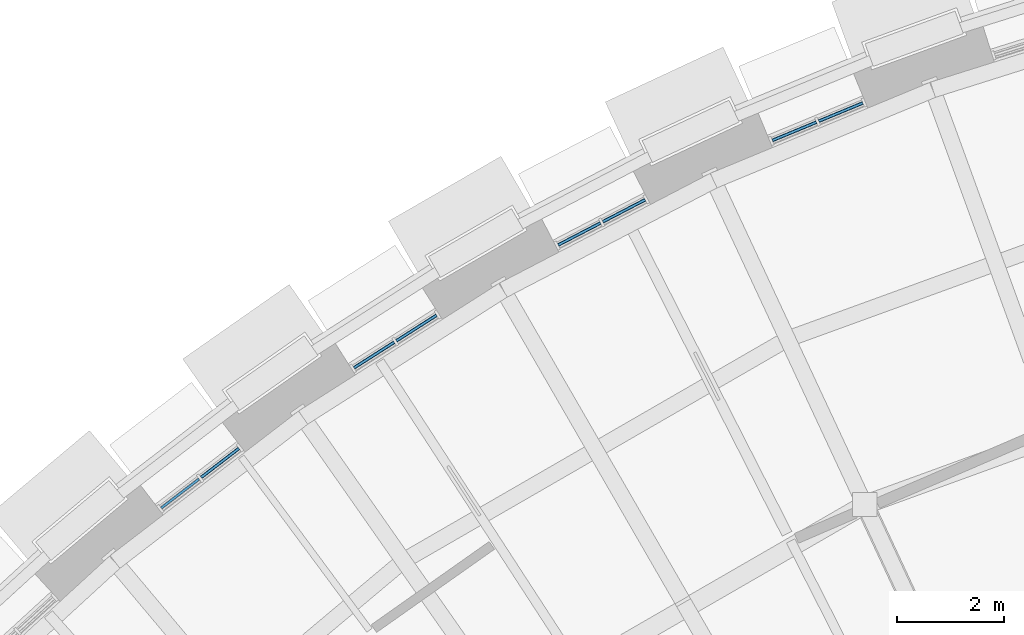
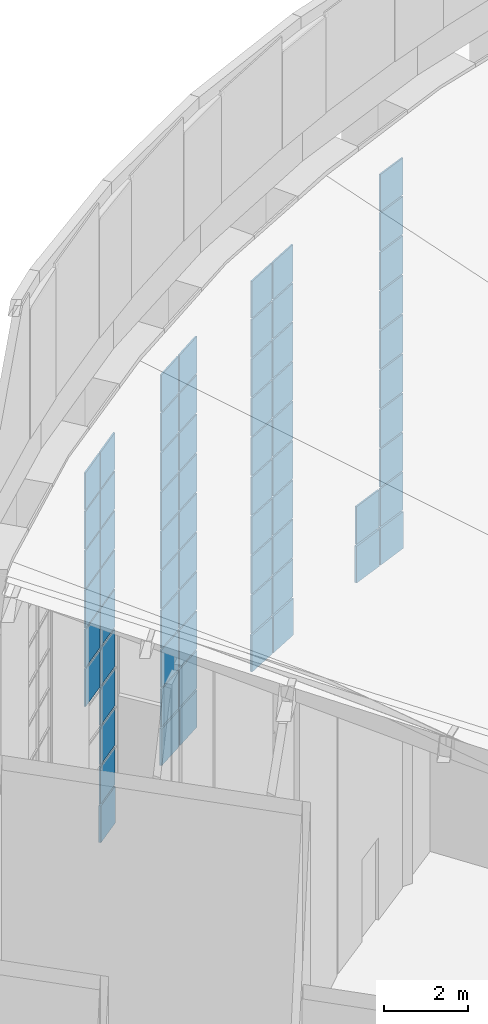
# One storey, part 48 of 82: 68 plates, 4 elements without a shape of their own.
"""IFC4 building model written with IfcOpenShell, lengths in metres."""

from ifc_helpers import new_model, si_unit, direction, frame, origin, origin_2d, place, context, subcontext, project, spatial, rectangle, extrude, material, layer, layer_set, type_object, element, aggregate, save


model = new_model("IFC4")

# Units and contexts
model_context = context("Model", 3, precision=1e-05, world=origin(), true_north=direction((0.0, 1.0)))
body_context = subcontext(model_context, "Body", "Model", "MODEL_VIEW")
ifc_project = project(units=[si_unit("LENGTHUNIT", "METRE"), si_unit("AREAUNIT", "SQUARE_METRE"), si_unit("VOLUMEUNIT", "CUBIC_METRE"), si_unit("PLANEANGLEUNIT", "RADIAN"), si_unit("MASSUNIT", "GRAM", prefix="KILO")], contexts=[model_context])

# Site, building, storey
site_placement = place(None, origin())
site = spatial("IfcSite", under=ifc_project, at=site_placement, CompositionType="ELEMENT")
building_placement = place(site_placement, origin())
building = spatial("IfcBuilding", under=site, at=building_placement, Name="Volute Hill Aquarium", CompositionType="ELEMENT")
storey_placement = place(building_placement, frame((0.0, 0.0, 13.800048828125)))
storey = spatial("IfcBuildingStorey", under=building, at=storey_placement, Name="L04", CompositionType="ELEMENT", Elevation=13.800048828125)

# Curtain wall, plates
ifc_material_1 = material(Name="Aluminium", Category="aluminium")
ifc_layer_1 = layer(ifc_material_1, 0.25)
ifc_layer_set_1 = layer_set([ifc_layer_1], Name="Curtain wall niche S6 module 967")
curtain_wall_type = type_object("IfcCurtainWallType", Name="Curtain wall niche S6 module 967", PredefinedType="NOTDEFINED", material=ifc_layer_set_1)
curtain_wall_1_placement = place(storey_placement, origin())
curtain_wall_1 = element("IfcCurtainWall", 1, at=curtain_wall_1_placement, inside=storey, type_object=curtain_wall_type, Name="Curtain wall CW S6 L04 4", PredefinedType="NOTDEFINED")
ifc_material_2 = material(Name="Glass, low-iron laminated", Category="glass")
ifc_layer_2 = layer(ifc_material_2, 0.0439453125)
ifc_layer_set_2 = layer_set([ifc_layer_2], Name="Curtain wall glass panel S6 44")
plate_type_1 = type_object("IfcPlateType", Name="Curtain wall glass panel S6 44", PredefinedType="CURTAIN_PANEL", material=ifc_layer_set_2)
plate_1_placement = place(storey_placement, frame((-19.149169921875, 47.460693359375, 1.6240234375), z_axis=(0.0, 0.0, 1.0), x_axis=(-0.923881012069, -0.382679860378, 0.0)))
plate_1 = element("IfcPlate", 2, at=plate_1_placement, type_object=plate_type_1, Name="CW panel 1.2", PredefinedType="CURTAIN_PANEL", context=body_context, shape_type="SweptSolid", body=[
    extrude(rectangle(XDim=0.891845703125, YDim=0.0439453125, at=origin_2d()), origin(), (0.0, 0.0, 1.0), 1.09912109375),
])
plate_2_placement = place(storey_placement, frame((-19.149169921875, 47.460693359375, 2.773193359375), z_axis=(0.0, 0.0, 1.0), x_axis=(-0.923881012069, -0.382679860378, 0.0)))
plate_2 = element("IfcPlate", 3, at=plate_2_placement, type_object=plate_type_1, Name="CW panel 1.3", PredefinedType="CURTAIN_PANEL", context=body_context, shape_type="SweptSolid", body=[
    extrude(rectangle(XDim=0.891845703125, YDim=0.0439453125, at=origin_2d()), origin(), (0.0, 0.0, 1.0), 1.09912109375),
])
plate_3_placement = place(storey_placement, frame((-19.149169921875, 47.460693359375, 3.92236328125), z_axis=(0.0, 0.0, 1.0), x_axis=(-0.923881012069, -0.382679860378, 0.0)))
plate_3 = element("IfcPlate", 4, at=plate_3_placement, type_object=plate_type_1, Name="CW panel 1.4", PredefinedType="CURTAIN_PANEL", context=body_context, shape_type="SweptSolid", body=[
    extrude(rectangle(XDim=0.891845703125, YDim=0.0439453125, at=origin_2d()), origin(), (0.0, 0.0, 1.0), 1.09912109375),
])
plate_4_placement = place(storey_placement, frame((-19.149169921875, 47.460693359375, 5.071533203125), z_axis=(0.0, 0.0, 1.0), x_axis=(-0.923881012069, -0.382679860378, 0.0)))
plate_4 = element("IfcPlate", 5, at=plate_4_placement, type_object=plate_type_1, Name="CW panel 1.5", PredefinedType="CURTAIN_PANEL", context=body_context, shape_type="SweptSolid", body=[
    extrude(rectangle(XDim=0.891845703125, YDim=0.0439453125, at=origin_2d()), origin(), (0.0, 0.0, 1.0), 1.09912109375),
])
plate_5_placement = place(storey_placement, frame((-19.149169921875, 47.460693359375, 6.220703125), z_axis=(0.0, 0.0, 1.0), x_axis=(-0.923881012069, -0.382679860378, 0.0)))
plate_5 = element("IfcPlate", 6, at=plate_5_placement, type_object=plate_type_1, Name="CW panel 1.6", PredefinedType="CURTAIN_PANEL", context=body_context, shape_type="SweptSolid", body=[
    extrude(rectangle(XDim=0.891845703125, YDim=0.0439453125, at=origin_2d()), origin(), (0.0, 0.0, 1.0), 1.09912109375),
])
plate_6_placement = place(storey_placement, frame((-19.149169921875, 47.460693359375, 7.369873046875), z_axis=(0.0, 0.0, 1.0), x_axis=(-0.923881012069, -0.382679860378, 0.0)))
plate_6 = element("IfcPlate", 7, at=plate_6_placement, type_object=plate_type_1, Name="CW panel 1.7", PredefinedType="CURTAIN_PANEL", context=body_context, shape_type="SweptSolid", body=[
    extrude(rectangle(XDim=0.891845703125, YDim=0.0439453125, at=origin_2d()), origin(), (0.0, 0.0, 1.0), 1.09912109375),
])
plate_7_placement = place(storey_placement, frame((-19.149169921875, 47.460693359375, 8.51904296875), z_axis=(0.0, 0.0, 1.0), x_axis=(-0.923881012069, -0.382679860378, 0.0)))
plate_7 = element("IfcPlate", 8, at=plate_7_placement, type_object=plate_type_1, Name="CW panel 1.8", PredefinedType="CURTAIN_PANEL", context=body_context, shape_type="SweptSolid", body=[
    extrude(rectangle(XDim=0.891845703125, YDim=0.0439453125, at=origin_2d()), origin(), (0.0, 0.0, 1.0), 1.09912109375),
])
plate_8_placement = place(storey_placement, frame((-19.149169921875, 47.460693359375, 9.66796875), z_axis=(0.0, 0.0, 1.0), x_axis=(-0.923881012069, -0.382679860378, 0.0)))
plate_8 = element("IfcPlate", 9, at=plate_8_placement, type_object=plate_type_1, Name="CW panel 1.9", PredefinedType="CURTAIN_PANEL", context=body_context, shape_type="SweptSolid", body=[
    extrude(rectangle(XDim=0.891845703125, YDim=0.0439453125, at=origin_2d()), origin(), (0.0, 0.0, 1.0), 1.09912109375),
])
plate_9_placement = place(storey_placement, frame((-19.149169921875, 47.460693359375, 10.817138671875), z_axis=(0.0, 0.0, 1.0), x_axis=(-0.923881012069, -0.382679860378, 0.0)))
plate_9 = element("IfcPlate", 10, at=plate_9_placement, type_object=plate_type_1, Name="CW panel 1.10", PredefinedType="CURTAIN_PANEL", context=body_context, shape_type="SweptSolid", body=[
    extrude(rectangle(XDim=0.891845703125, YDim=0.0439453125, at=origin_2d()), origin(), (0.0, 0.0, 1.0), 1.07421875),
])
plate_10_placement = place(storey_placement, frame((-20.019287109375, 47.10009765625, 1.6240234375), z_axis=(0.0, 0.0, 1.0), x_axis=(-0.923881012069, -0.382679860378, 0.0)))
plate_10 = element("IfcPlate", 11, at=plate_10_placement, type_object=plate_type_1, Name="CW panel 2.2", PredefinedType="CURTAIN_PANEL", context=body_context, shape_type="SweptSolid", body=[
    extrude(rectangle(XDim=0.891845703125, YDim=0.0439453125, at=origin_2d()), origin(), (0.0, 0.0, 1.0), 1.09912109375),
])

curtain_wall_2_placement = place(storey_placement, origin())
curtain_wall_2 = element("IfcCurtainWall", 12, at=curtain_wall_2_placement, inside=storey, type_object=curtain_wall_type, Name="Curtain wall CW S6 L04 5", PredefinedType="NOTDEFINED")
plate_11_placement = place(storey_placement, frame((-23.212646484375, 45.611083984375, 1.6240234375), z_axis=(0.0, 0.0, 1.0), x_axis=(-0.88700512397, -0.461759580356, 0.0)))
plate_11 = element("IfcPlate", 13, at=plate_11_placement, type_object=plate_type_1, Name="CW panel 1.2", PredefinedType="CURTAIN_PANEL", context=body_context, shape_type="SweptSolid", body=[
    extrude(rectangle(XDim=0.891845703125, YDim=0.0439453125, at=origin_2d()), origin(), (0.0, 0.0, 1.0), 1.09912109375),
])
plate_12_placement = place(storey_placement, frame((-23.212646484375, 45.611083984375, 2.773193359375), z_axis=(0.0, 0.0, 1.0), x_axis=(-0.88700512397, -0.461759580356, 0.0)))
plate_12 = element("IfcPlate", 14, at=plate_12_placement, type_object=plate_type_1, Name="CW panel 1.3", PredefinedType="CURTAIN_PANEL", context=body_context, shape_type="SweptSolid", body=[
    extrude(rectangle(XDim=0.891845703125, YDim=0.0439453125, at=origin_2d()), origin(), (0.0, 0.0, 1.0), 1.09912109375),
])
plate_13_placement = place(storey_placement, frame((-23.212646484375, 45.611083984375, 3.92236328125), z_axis=(0.0, 0.0, 1.0), x_axis=(-0.88700512397, -0.461759580356, 0.0)))
plate_13 = element("IfcPlate", 15, at=plate_13_placement, type_object=plate_type_1, Name="CW panel 1.4", PredefinedType="CURTAIN_PANEL", context=body_context, shape_type="SweptSolid", body=[
    extrude(rectangle(XDim=0.891845703125, YDim=0.0439453125, at=origin_2d()), origin(), (0.0, 0.0, 1.0), 1.09912109375),
])
plate_14_placement = place(storey_placement, frame((-23.212646484375, 45.611083984375, 5.071533203125), z_axis=(0.0, 0.0, 1.0), x_axis=(-0.88700512397, -0.461759580356, 0.0)))
plate_14 = element("IfcPlate", 16, at=plate_14_placement, type_object=plate_type_1, Name="CW panel 1.5", PredefinedType="CURTAIN_PANEL", context=body_context, shape_type="SweptSolid", body=[
    extrude(rectangle(XDim=0.891845703125, YDim=0.0439453125, at=origin_2d()), origin(), (0.0, 0.0, 1.0), 1.09912109375),
])
plate_15_placement = place(storey_placement, frame((-23.212646484375, 45.611083984375, 6.220703125), z_axis=(0.0, 0.0, 1.0), x_axis=(-0.88700512397, -0.461759580356, 0.0)))
plate_15 = element("IfcPlate", 17, at=plate_15_placement, type_object=plate_type_1, Name="CW panel 1.6", PredefinedType="CURTAIN_PANEL", context=body_context, shape_type="SweptSolid", body=[
    extrude(rectangle(XDim=0.891845703125, YDim=0.0439453125, at=origin_2d()), origin(), (0.0, 0.0, 1.0), 1.09912109375),
])
plate_16_placement = place(storey_placement, frame((-23.212646484375, 45.611083984375, 7.369873046875), z_axis=(0.0, 0.0, 1.0), x_axis=(-0.88700512397, -0.461759580356, 0.0)))
plate_16 = element("IfcPlate", 18, at=plate_16_placement, type_object=plate_type_1, Name="CW panel 1.7", PredefinedType="CURTAIN_PANEL", context=body_context, shape_type="SweptSolid", body=[
    extrude(rectangle(XDim=0.891845703125, YDim=0.0439453125, at=origin_2d()), origin(), (0.0, 0.0, 1.0), 1.09912109375),
])
plate_17_placement = place(storey_placement, frame((-23.212646484375, 45.611083984375, 8.51904296875), z_axis=(0.0, 0.0, 1.0), x_axis=(-0.88700512397, -0.461759580356, 0.0)))
plate_17 = element("IfcPlate", 19, at=plate_17_placement, type_object=plate_type_1, Name="CW panel 1.8", PredefinedType="CURTAIN_PANEL", context=body_context, shape_type="SweptSolid", body=[
    extrude(rectangle(XDim=0.891845703125, YDim=0.0439453125, at=origin_2d()), origin(), (0.0, 0.0, 1.0), 1.09912109375),
])
plate_18_placement = place(storey_placement, frame((-23.212646484375, 45.611083984375, 9.66796875), z_axis=(0.0, 0.0, 1.0), x_axis=(-0.88700512397, -0.461759580356, 0.0)))
plate_18 = element("IfcPlate", 20, at=plate_18_placement, type_object=plate_type_1, Name="CW panel 1.9", PredefinedType="CURTAIN_PANEL", context=body_context, shape_type="SweptSolid", body=[
    extrude(rectangle(XDim=0.891845703125, YDim=0.0439453125, at=origin_2d()), origin(), (0.0, 0.0, 1.0), 1.09912109375),
])
plate_19_placement = place(storey_placement, frame((-23.212646484375, 45.611083984375, 10.817138671875), z_axis=(0.0, 0.0, 1.0), x_axis=(-0.88700512397, -0.461759580356, 0.0)))
plate_19 = element("IfcPlate", 21, at=plate_19_placement, type_object=plate_type_1, Name="CW panel 1.10", PredefinedType="CURTAIN_PANEL", context=body_context, shape_type="SweptSolid", body=[
    extrude(rectangle(XDim=0.891845703125, YDim=0.0439453125, at=origin_2d()), origin(), (0.0, 0.0, 1.0), 1.07421875),
])
plate_20_placement = place(storey_placement, frame((-24.048095703125, 45.17626953125, 1.6240234375), z_axis=(0.0, 0.0, 1.0), x_axis=(-0.88700512397, -0.461759580356, 0.0)))
plate_20 = element("IfcPlate", 22, at=plate_20_placement, type_object=plate_type_1, Name="CW panel 2.2", PredefinedType="CURTAIN_PANEL", context=body_context, shape_type="SweptSolid", body=[
    extrude(rectangle(XDim=0.891845703125, YDim=0.0439453125, at=origin_2d()), origin(), (0.0, 0.0, 1.0), 1.09912109375),
])
plate_21_placement = place(storey_placement, frame((-24.048095703125, 45.17626953125, 2.773193359375), z_axis=(0.0, 0.0, 1.0), x_axis=(-0.88700512397, -0.461759580356, 0.0)))
plate_21 = element("IfcPlate", 23, at=plate_21_placement, type_object=plate_type_1, Name="CW panel 2.3", PredefinedType="CURTAIN_PANEL", context=body_context, shape_type="SweptSolid", body=[
    extrude(rectangle(XDim=0.891845703125, YDim=0.0439453125, at=origin_2d()), origin(), (0.0, 0.0, 1.0), 1.09912109375),
])
plate_22_placement = place(storey_placement, frame((-24.048095703125, 45.17626953125, 3.92236328125), z_axis=(0.0, 0.0, 1.0), x_axis=(-0.88700512397, -0.461759580356, 0.0)))
plate_22 = element("IfcPlate", 24, at=plate_22_placement, type_object=plate_type_1, Name="CW panel 2.4", PredefinedType="CURTAIN_PANEL", context=body_context, shape_type="SweptSolid", body=[
    extrude(rectangle(XDim=0.891845703125, YDim=0.0439453125, at=origin_2d()), origin(), (0.0, 0.0, 1.0), 1.09912109375),
])
plate_23_placement = place(storey_placement, frame((-24.048095703125, 45.17626953125, 5.071533203125), z_axis=(0.0, 0.0, 1.0), x_axis=(-0.88700512397, -0.461759580356, 0.0)))
plate_23 = element("IfcPlate", 25, at=plate_23_placement, type_object=plate_type_1, Name="CW panel 2.5", PredefinedType="CURTAIN_PANEL", context=body_context, shape_type="SweptSolid", body=[
    extrude(rectangle(XDim=0.891845703125, YDim=0.0439453125, at=origin_2d()), origin(), (0.0, 0.0, 1.0), 1.09912109375),
])
plate_24_placement = place(storey_placement, frame((-24.048095703125, 45.17626953125, 6.220703125), z_axis=(0.0, 0.0, 1.0), x_axis=(-0.88700512397, -0.461759580356, 0.0)))
plate_24 = element("IfcPlate", 26, at=plate_24_placement, type_object=plate_type_1, Name="CW panel 2.6", PredefinedType="CURTAIN_PANEL", context=body_context, shape_type="SweptSolid", body=[
    extrude(rectangle(XDim=0.891845703125, YDim=0.0439453125, at=origin_2d()), origin(), (0.0, 0.0, 1.0), 1.09912109375),
])
plate_25_placement = place(storey_placement, frame((-24.048095703125, 45.17626953125, 7.369873046875), z_axis=(0.0, 0.0, 1.0), x_axis=(-0.88700512397, -0.461759580356, 0.0)))
plate_25 = element("IfcPlate", 27, at=plate_25_placement, type_object=plate_type_1, Name="CW panel 2.7", PredefinedType="CURTAIN_PANEL", context=body_context, shape_type="SweptSolid", body=[
    extrude(rectangle(XDim=0.891845703125, YDim=0.0439453125, at=origin_2d()), origin(), (0.0, 0.0, 1.0), 1.09912109375),
])
plate_26_placement = place(storey_placement, frame((-24.048095703125, 45.17626953125, 8.51904296875), z_axis=(0.0, 0.0, 1.0), x_axis=(-0.88700512397, -0.461759580356, 0.0)))
plate_26 = element("IfcPlate", 28, at=plate_26_placement, type_object=plate_type_1, Name="CW panel 2.8", PredefinedType="CURTAIN_PANEL", context=body_context, shape_type="SweptSolid", body=[
    extrude(rectangle(XDim=0.891845703125, YDim=0.0439453125, at=origin_2d()), origin(), (0.0, 0.0, 1.0), 1.09912109375),
])
plate_27_placement = place(storey_placement, frame((-24.048095703125, 45.17626953125, 9.66796875), z_axis=(0.0, 0.0, 1.0), x_axis=(-0.88700512397, -0.461759580356, 0.0)))
plate_27 = element("IfcPlate", 29, at=plate_27_placement, type_object=plate_type_1, Name="CW panel 2.9", PredefinedType="CURTAIN_PANEL", context=body_context, shape_type="SweptSolid", body=[
    extrude(rectangle(XDim=0.891845703125, YDim=0.0439453125, at=origin_2d()), origin(), (0.0, 0.0, 1.0), 1.09912109375),
])
plate_28_placement = place(storey_placement, frame((-24.048095703125, 45.17626953125, 10.817138671875), z_axis=(0.0, 0.0, 1.0), x_axis=(-0.88700512397, -0.461759580356, 0.0)))
plate_28 = element("IfcPlate", 30, at=plate_28_placement, type_object=plate_type_1, Name="CW panel 2.10", PredefinedType="CURTAIN_PANEL", context=body_context, shape_type="SweptSolid", body=[
    extrude(rectangle(XDim=0.891845703125, YDim=0.0439453125, at=origin_2d()), origin(), (0.0, 0.0, 1.0), 1.07421875),
])

curtain_wall_3_placement = place(storey_placement, origin())
curtain_wall_3 = element("IfcCurtainWall", 31, at=curtain_wall_3_placement, inside=storey, type_object=curtain_wall_type, Name="Curtain wall CW S6 L04 6", PredefinedType="NOTDEFINED")
plate_29_placement = place(storey_placement, frame((-27.099609375, 43.414306640625, 1.6240234375), z_axis=(0.0, 0.0, 1.0), x_axis=(-0.843394579142, -0.537294689973, 0.0)))
plate_29 = element("IfcPlate", 32, at=plate_29_placement, type_object=plate_type_1, Name="CW panel 1.2", PredefinedType="CURTAIN_PANEL", context=body_context, shape_type="SweptSolid", body=[
    extrude(rectangle(XDim=0.891845703125, YDim=0.0439453125, at=origin_2d()), origin(), (0.0, 0.0, 1.0), 1.09912109375),
])
plate_30_placement = place(storey_placement, frame((-27.099609375, 43.414306640625, 2.773193359375), z_axis=(0.0, 0.0, 1.0), x_axis=(-0.843394579142, -0.537294689973, 0.0)))
plate_30 = element("IfcPlate", 33, at=plate_30_placement, type_object=plate_type_1, Name="CW panel 1.3", PredefinedType="CURTAIN_PANEL", context=body_context, shape_type="SweptSolid", body=[
    extrude(rectangle(XDim=0.891845703125, YDim=0.0439453125, at=origin_2d()), origin(), (0.0, 0.0, 1.0), 1.09912109375),
])
plate_31_placement = place(storey_placement, frame((-27.099609375, 43.414306640625, 3.92236328125), z_axis=(0.0, 0.0, 1.0), x_axis=(-0.843394579142, -0.537294689973, 0.0)))
plate_31 = element("IfcPlate", 34, at=plate_31_placement, type_object=plate_type_1, Name="CW panel 1.4", PredefinedType="CURTAIN_PANEL", context=body_context, shape_type="SweptSolid", body=[
    extrude(rectangle(XDim=0.891845703125, YDim=0.0439453125, at=origin_2d()), origin(), (0.0, 0.0, 1.0), 1.09912109375),
])
plate_32_placement = place(storey_placement, frame((-27.099609375, 43.414306640625, 5.071533203125), z_axis=(0.0, 0.0, 1.0), x_axis=(-0.843394579142, -0.537294689973, 0.0)))
plate_32 = element("IfcPlate", 35, at=plate_32_placement, type_object=plate_type_1, Name="CW panel 1.5", PredefinedType="CURTAIN_PANEL", context=body_context, shape_type="SweptSolid", body=[
    extrude(rectangle(XDim=0.891845703125, YDim=0.0439453125, at=origin_2d()), origin(), (0.0, 0.0, 1.0), 1.09912109375),
])
plate_33_placement = place(storey_placement, frame((-27.099609375, 43.414306640625, 6.220703125), z_axis=(0.0, 0.0, 1.0), x_axis=(-0.843394579142, -0.537294689973, 0.0)))
plate_33 = element("IfcPlate", 36, at=plate_33_placement, type_object=plate_type_1, Name="CW panel 1.6", PredefinedType="CURTAIN_PANEL", context=body_context, shape_type="SweptSolid", body=[
    extrude(rectangle(XDim=0.891845703125, YDim=0.0439453125, at=origin_2d()), origin(), (0.0, 0.0, 1.0), 1.09912109375),
])
plate_34_placement = place(storey_placement, frame((-27.099609375, 43.414306640625, 7.369873046875), z_axis=(0.0, 0.0, 1.0), x_axis=(-0.843394579142, -0.537294689973, 0.0)))
plate_34 = element("IfcPlate", 37, at=plate_34_placement, type_object=plate_type_1, Name="CW panel 1.7", PredefinedType="CURTAIN_PANEL", context=body_context, shape_type="SweptSolid", body=[
    extrude(rectangle(XDim=0.891845703125, YDim=0.0439453125, at=origin_2d()), origin(), (0.0, 0.0, 1.0), 1.09912109375),
])
plate_35_placement = place(storey_placement, frame((-27.099609375, 43.414306640625, 8.51904296875), z_axis=(0.0, 0.0, 1.0), x_axis=(-0.843394579142, -0.537294689973, 0.0)))
plate_35 = element("IfcPlate", 38, at=plate_35_placement, type_object=plate_type_1, Name="CW panel 1.8", PredefinedType="CURTAIN_PANEL", context=body_context, shape_type="SweptSolid", body=[
    extrude(rectangle(XDim=0.891845703125, YDim=0.0439453125, at=origin_2d()), origin(), (0.0, 0.0, 1.0), 1.09912109375),
])
plate_36_placement = place(storey_placement, frame((-27.099609375, 43.414306640625, 9.66796875), z_axis=(0.0, 0.0, 1.0), x_axis=(-0.843394579142, -0.537294689973, 0.0)))
plate_36 = element("IfcPlate", 39, at=plate_36_placement, type_object=plate_type_1, Name="CW panel 1.9", PredefinedType="CURTAIN_PANEL", context=body_context, shape_type="SweptSolid", body=[
    extrude(rectangle(XDim=0.891845703125, YDim=0.0439453125, at=origin_2d()), origin(), (0.0, 0.0, 1.0), 1.09912109375),
])
plate_37_placement = place(storey_placement, frame((-27.099609375, 43.414306640625, 10.817138671875), z_axis=(0.0, 0.0, 1.0), x_axis=(-0.843394579142, -0.537294689973, 0.0)))
plate_37 = element("IfcPlate", 40, at=plate_37_placement, type_object=plate_type_1, Name="CW panel 1.10", PredefinedType="CURTAIN_PANEL", context=body_context, shape_type="SweptSolid", body=[
    extrude(rectangle(XDim=0.891845703125, YDim=0.0439453125, at=origin_2d()), origin(), (0.0, 0.0, 1.0), 1.07421875),
])
plate_38_placement = place(storey_placement, frame((-27.89404296875, 42.908203125, 1.6240234375), z_axis=(0.0, 0.0, 1.0), x_axis=(-0.843394579142, -0.537294689973, 0.0)))
plate_38 = element("IfcPlate", 41, at=plate_38_placement, type_object=plate_type_1, Name="CW panel 2.2", PredefinedType="CURTAIN_PANEL", context=body_context, shape_type="SweptSolid", body=[
    extrude(rectangle(XDim=0.891845703125, YDim=0.0439453125, at=origin_2d()), origin(), (0.0, 0.0, 1.0), 1.09912109375),
])
plate_39_placement = place(storey_placement, frame((-27.89404296875, 42.908203125, 2.773193359375), z_axis=(0.0, 0.0, 1.0), x_axis=(-0.843394579142, -0.537294689973, 0.0)))
plate_39 = element("IfcPlate", 42, at=plate_39_placement, type_object=plate_type_1, Name="CW panel 2.3", PredefinedType="CURTAIN_PANEL", context=body_context, shape_type="SweptSolid", body=[
    extrude(rectangle(XDim=0.891845703125, YDim=0.0439453125, at=origin_2d()), origin(), (0.0, 0.0, 1.0), 1.09912109375),
])
plate_40_placement = place(storey_placement, frame((-27.89404296875, 42.908203125, 3.92236328125), z_axis=(0.0, 0.0, 1.0), x_axis=(-0.843394579142, -0.537294689973, 0.0)))
plate_40 = element("IfcPlate", 43, at=plate_40_placement, type_object=plate_type_1, Name="CW panel 2.4", PredefinedType="CURTAIN_PANEL", context=body_context, shape_type="SweptSolid", body=[
    extrude(rectangle(XDim=0.891845703125, YDim=0.0439453125, at=origin_2d()), origin(), (0.0, 0.0, 1.0), 1.09912109375),
])
plate_41_placement = place(storey_placement, frame((-27.89404296875, 42.908203125, 5.071533203125), z_axis=(0.0, 0.0, 1.0), x_axis=(-0.843394579142, -0.537294689973, 0.0)))
plate_41 = element("IfcPlate", 44, at=plate_41_placement, type_object=plate_type_1, Name="CW panel 2.5", PredefinedType="CURTAIN_PANEL", context=body_context, shape_type="SweptSolid", body=[
    extrude(rectangle(XDim=0.891845703125, YDim=0.0439453125, at=origin_2d()), origin(), (0.0, 0.0, 1.0), 1.09912109375),
])
plate_42_placement = place(storey_placement, frame((-27.89404296875, 42.908203125, 6.220703125), z_axis=(0.0, 0.0, 1.0), x_axis=(-0.843394579142, -0.537294689973, 0.0)))
plate_42 = element("IfcPlate", 45, at=plate_42_placement, type_object=plate_type_1, Name="CW panel 2.6", PredefinedType="CURTAIN_PANEL", context=body_context, shape_type="SweptSolid", body=[
    extrude(rectangle(XDim=0.891845703125, YDim=0.0439453125, at=origin_2d()), origin(), (0.0, 0.0, 1.0), 1.09912109375),
])
plate_43_placement = place(storey_placement, frame((-27.89404296875, 42.908203125, 7.369873046875), z_axis=(0.0, 0.0, 1.0), x_axis=(-0.843394579142, -0.537294689973, 0.0)))
plate_43 = element("IfcPlate", 46, at=plate_43_placement, type_object=plate_type_1, Name="CW panel 2.7", PredefinedType="CURTAIN_PANEL", context=body_context, shape_type="SweptSolid", body=[
    extrude(rectangle(XDim=0.891845703125, YDim=0.0439453125, at=origin_2d()), origin(), (0.0, 0.0, 1.0), 1.09912109375),
])
plate_44_placement = place(storey_placement, frame((-27.89404296875, 42.908203125, 8.51904296875), z_axis=(0.0, 0.0, 1.0), x_axis=(-0.843394579142, -0.537294689973, 0.0)))
plate_44 = element("IfcPlate", 47, at=plate_44_placement, type_object=plate_type_1, Name="CW panel 2.8", PredefinedType="CURTAIN_PANEL", context=body_context, shape_type="SweptSolid", body=[
    extrude(rectangle(XDim=0.891845703125, YDim=0.0439453125, at=origin_2d()), origin(), (0.0, 0.0, 1.0), 1.09912109375),
])
plate_45_placement = place(storey_placement, frame((-27.89404296875, 42.908203125, 9.66796875), z_axis=(0.0, 0.0, 1.0), x_axis=(-0.843394579142, -0.537294689973, 0.0)))
plate_45 = element("IfcPlate", 48, at=plate_45_placement, type_object=plate_type_1, Name="CW panel 2.9", PredefinedType="CURTAIN_PANEL", context=body_context, shape_type="SweptSolid", body=[
    extrude(rectangle(XDim=0.891845703125, YDim=0.0439453125, at=origin_2d()), origin(), (0.0, 0.0, 1.0), 1.09912109375),
])
plate_46_placement = place(storey_placement, frame((-27.89404296875, 42.908203125, 10.817138671875), z_axis=(0.0, 0.0, 1.0), x_axis=(-0.843394579142, -0.537294689973, 0.0)))
plate_46 = element("IfcPlate", 49, at=plate_46_placement, type_object=plate_type_1, Name="CW panel 2.10", PredefinedType="CURTAIN_PANEL", context=body_context, shape_type="SweptSolid", body=[
    extrude(rectangle(XDim=0.891845703125, YDim=0.0439453125, at=origin_2d()), origin(), (0.0, 0.0, 1.0), 1.07421875),
])

curtain_wall_4_placement = place(storey_placement, origin())
curtain_wall_4 = element("IfcCurtainWall", 50, at=curtain_wall_4_placement, inside=storey, type_object=curtain_wall_type, Name="Curtain wall CW S6 L04 7", PredefinedType="NOTDEFINED")
plate_47_placement = place(storey_placement, frame((-30.7802734375, 40.88720703125, 1.6240234375), z_axis=(0.0, 0.0, 1.0), x_axis=(-0.793347775493, -0.608768681127, 0.0)))
plate_47 = element("IfcPlate", 51, at=plate_47_placement, type_object=plate_type_1, Name="CW panel 1.2", PredefinedType="CURTAIN_PANEL", context=body_context, shape_type="SweptSolid", body=[
    extrude(rectangle(XDim=0.891845703125, YDim=0.0439453125, at=origin_2d()), origin(), (0.0, 0.0, 1.0), 1.09912109375),
])
plate_48_placement = place(storey_placement, frame((-30.7802734375, 40.88720703125, 2.773193359375), z_axis=(0.0, 0.0, 1.0), x_axis=(-0.793347775493, -0.608768681127, 0.0)))
plate_48 = element("IfcPlate", 52, at=plate_48_placement, type_object=plate_type_1, Name="CW panel 1.3", PredefinedType="CURTAIN_PANEL", context=body_context, shape_type="SweptSolid", body=[
    extrude(rectangle(XDim=0.891845703125, YDim=0.0439453125, at=origin_2d()), origin(), (0.0, 0.0, 1.0), 1.09912109375),
])
plate_49_placement = place(storey_placement, frame((-30.7802734375, 40.88720703125, 3.92236328125), z_axis=(0.0, 0.0, 1.0), x_axis=(-0.793347775493, -0.608768681127, 0.0)))
plate_49 = element("IfcPlate", 53, at=plate_49_placement, type_object=plate_type_1, Name="CW panel 1.4", PredefinedType="CURTAIN_PANEL", context=body_context, shape_type="SweptSolid", body=[
    extrude(rectangle(XDim=0.891845703125, YDim=0.0439453125, at=origin_2d()), origin(), (0.0, 0.0, 1.0), 1.09912109375),
])
plate_50_placement = place(storey_placement, frame((-30.7802734375, 40.88720703125, 5.071533203125), z_axis=(0.0, 0.0, 1.0), x_axis=(-0.793347775493, -0.608768681127, 0.0)))
plate_50 = element("IfcPlate", 54, at=plate_50_placement, type_object=plate_type_1, Name="CW panel 1.5", PredefinedType="CURTAIN_PANEL", context=body_context, shape_type="SweptSolid", body=[
    extrude(rectangle(XDim=0.891845703125, YDim=0.0439453125, at=origin_2d()), origin(), (0.0, 0.0, 1.0), 1.09912109375),
])
plate_51_placement = place(storey_placement, frame((-30.7802734375, 40.88720703125, 6.220703125), z_axis=(0.0, 0.0, 1.0), x_axis=(-0.793347775493, -0.608768681127, 0.0)))
plate_51 = element("IfcPlate", 55, at=plate_51_placement, type_object=plate_type_1, Name="CW panel 1.6", PredefinedType="CURTAIN_PANEL", context=body_context, shape_type="SweptSolid", body=[
    extrude(rectangle(XDim=0.891845703125, YDim=0.0439453125, at=origin_2d()), origin(), (0.0, 0.0, 1.0), 1.09912109375),
])
plate_52_placement = place(storey_placement, frame((-30.7802734375, 40.88720703125, 7.369873046875), z_axis=(0.0, 0.0, 1.0), x_axis=(-0.793347775493, -0.608768681127, 0.0)))
plate_52 = element("IfcPlate", 56, at=plate_52_placement, type_object=plate_type_1, Name="CW panel 1.7", PredefinedType="CURTAIN_PANEL", context=body_context, shape_type="SweptSolid", body=[
    extrude(rectangle(XDim=0.891845703125, YDim=0.0439453125, at=origin_2d()), origin(), (0.0, 0.0, 1.0), 1.09912109375),
])
plate_53_placement = place(storey_placement, frame((-30.7802734375, 40.88720703125, 8.51904296875), z_axis=(0.0, 0.0, 1.0), x_axis=(-0.793347775493, -0.608768681127, 0.0)))
plate_53 = element("IfcPlate", 57, at=plate_53_placement, type_object=plate_type_1, Name="CW panel 1.8", PredefinedType="CURTAIN_PANEL", context=body_context, shape_type="SweptSolid", body=[
    extrude(rectangle(XDim=0.891845703125, YDim=0.0439453125, at=origin_2d()), origin(), (0.0, 0.0, 1.0), 1.09912109375),
])
plate_54_placement = place(storey_placement, frame((-30.7802734375, 40.88720703125, 9.66796875), z_axis=(0.0, 0.0, 1.0), x_axis=(-0.793347775493, -0.608768681127, 0.0)))
plate_54 = element("IfcPlate", 58, at=plate_54_placement, type_object=plate_type_1, Name="CW panel 1.9", PredefinedType="CURTAIN_PANEL", context=body_context, shape_type="SweptSolid", body=[
    extrude(rectangle(XDim=0.891845703125, YDim=0.0439453125, at=origin_2d()), origin(), (0.0, 0.0, 1.0), 1.09912109375),
])
plate_55_placement = place(storey_placement, frame((-30.7802734375, 40.88720703125, 10.817138671875), z_axis=(0.0, 0.0, 1.0), x_axis=(-0.793347775493, -0.608768681127, 0.0)))
plate_55 = element("IfcPlate", 59, at=plate_55_placement, type_object=plate_type_1, Name="CW panel 1.10", PredefinedType="CURTAIN_PANEL", context=body_context, shape_type="SweptSolid", body=[
    extrude(rectangle(XDim=0.891845703125, YDim=0.0439453125, at=origin_2d()), origin(), (0.0, 0.0, 1.0), 1.07421875),
])
plate_56_placement = place(storey_placement, frame((-31.527587890625, 40.31396484375, 5.071533203125), z_axis=(0.0, 0.0, 1.0), x_axis=(-0.793347775493, -0.608768681127, 0.0)))
plate_56 = element("IfcPlate", 60, at=plate_56_placement, type_object=plate_type_1, Name="CW panel 2.5", PredefinedType="CURTAIN_PANEL", context=body_context, shape_type="SweptSolid", body=[
    extrude(rectangle(XDim=0.891845703125, YDim=0.0439453125, at=origin_2d()), origin(), (0.0, 0.0, 1.0), 1.09912109375),
])
plate_57_placement = place(storey_placement, frame((-31.527587890625, 40.31396484375, 6.220703125), z_axis=(0.0, 0.0, 1.0), x_axis=(-0.793347775493, -0.608768681127, 0.0)))
plate_57 = element("IfcPlate", 61, at=plate_57_placement, type_object=plate_type_1, Name="CW panel 2.6", PredefinedType="CURTAIN_PANEL", context=body_context, shape_type="SweptSolid", body=[
    extrude(rectangle(XDim=0.891845703125, YDim=0.0439453125, at=origin_2d()), origin(), (0.0, 0.0, 1.0), 1.09912109375),
])
plate_58_placement = place(storey_placement, frame((-31.527587890625, 40.31396484375, 7.369873046875), z_axis=(0.0, 0.0, 1.0), x_axis=(-0.793347775493, -0.608768681127, 0.0)))
plate_58 = element("IfcPlate", 62, at=plate_58_placement, type_object=plate_type_1, Name="CW panel 2.7", PredefinedType="CURTAIN_PANEL", context=body_context, shape_type="SweptSolid", body=[
    extrude(rectangle(XDim=0.891845703125, YDim=0.0439453125, at=origin_2d()), origin(), (0.0, 0.0, 1.0), 1.09912109375),
])
plate_59_placement = place(storey_placement, frame((-31.527587890625, 40.31396484375, 8.51904296875), z_axis=(0.0, 0.0, 1.0), x_axis=(-0.793347775493, -0.608768681127, 0.0)))
plate_59 = element("IfcPlate", 63, at=plate_59_placement, type_object=plate_type_1, Name="CW panel 2.8", PredefinedType="CURTAIN_PANEL", context=body_context, shape_type="SweptSolid", body=[
    extrude(rectangle(XDim=0.891845703125, YDim=0.0439453125, at=origin_2d()), origin(), (0.0, 0.0, 1.0), 1.09912109375),
])
plate_60_placement = place(storey_placement, frame((-31.527587890625, 40.31396484375, 9.66796875), z_axis=(0.0, 0.0, 1.0), x_axis=(-0.793347775493, -0.608768681127, 0.0)))
plate_60 = element("IfcPlate", 64, at=plate_60_placement, type_object=plate_type_1, Name="CW panel 2.9", PredefinedType="CURTAIN_PANEL", context=body_context, shape_type="SweptSolid", body=[
    extrude(rectangle(XDim=0.891845703125, YDim=0.0439453125, at=origin_2d()), origin(), (0.0, 0.0, 1.0), 1.09912109375),
])
plate_61_placement = place(storey_placement, frame((-31.527587890625, 40.31396484375, 10.817138671875), z_axis=(0.0, 0.0, 1.0), x_axis=(-0.793347775493, -0.608768681127, 0.0)))
plate_61 = element("IfcPlate", 65, at=plate_61_placement, type_object=plate_type_1, Name="CW panel 2.10", PredefinedType="CURTAIN_PANEL", context=body_context, shape_type="SweptSolid", body=[
    extrude(rectangle(XDim=0.891845703125, YDim=0.0439453125, at=origin_2d()), origin(), (0.0, 0.0, 1.0), 1.07421875),
])

# Plate
ifc_material_3 = material(Name="Aluminium", Category="aluminium")
ifc_layer_3 = layer(ifc_material_3, 0.06005859375)
ifc_layer_set_3 = layer_set([ifc_layer_3], Name="Curtain wall insulated spandrel panel 60")
plate_type_2 = type_object("IfcPlateType", Name="Curtain wall insulated spandrel panel 60", PredefinedType="CURTAIN_PANEL", material=ifc_layer_set_3)
plate_62_placement = place(storey_placement, frame((-19.149169921875, 47.460693359375, 0.5), z_axis=(0.0, 0.0, 1.0), x_axis=(-0.923881012069, -0.382679860378, 0.0)))
plate_62 = element("IfcPlate", 66, at=plate_62_placement, type_object=plate_type_2, Name="CW panel 1.1", PredefinedType="CURTAIN_PANEL", context=body_context, shape_type="SweptSolid", body=[
    extrude(rectangle(XDim=0.891845703125, YDim=0.06005859375, at=origin_2d()), origin(), (0.0, 0.0, 1.0), 1.07421875),
])

plate_63_placement = place(storey_placement, frame((-20.019287109375, 47.10009765625, 0.5), z_axis=(0.0, 0.0, 1.0), x_axis=(-0.923881012069, -0.382679860378, 0.0)))
plate_63 = element("IfcPlate", 67, at=plate_63_placement, type_object=plate_type_2, Name="CW panel 2.1", PredefinedType="CURTAIN_PANEL", context=body_context, shape_type="SweptSolid", body=[
    extrude(rectangle(XDim=0.891845703125, YDim=0.06005859375, at=origin_2d()), origin(), (0.0, 0.0, 1.0), 1.07421875),
])

aggregate(curtain_wall_1, [plate_62, plate_1, plate_2, plate_3, plate_4, plate_5, plate_6, plate_7, plate_8, plate_9, plate_63, plate_10])

plate_64_placement = place(storey_placement, frame((-23.212646484375, 45.611083984375, 0.5), z_axis=(0.0, 0.0, 1.0), x_axis=(-0.88700512397, -0.461759580356, 0.0)))
plate_64 = element("IfcPlate", 68, at=plate_64_placement, type_object=plate_type_2, Name="CW panel 1.1", PredefinedType="CURTAIN_PANEL", context=body_context, shape_type="SweptSolid", body=[
    extrude(rectangle(XDim=0.891845703125, YDim=0.06005859375, at=origin_2d()), origin(), (0.0, 0.0, 1.0), 1.07421875),
])

plate_65_placement = place(storey_placement, frame((-24.048095703125, 45.17626953125, 0.5), z_axis=(0.0, 0.0, 1.0), x_axis=(-0.88700512397, -0.461759580356, 0.0)))
plate_65 = element("IfcPlate", 69, at=plate_65_placement, type_object=plate_type_2, Name="CW panel 2.1", PredefinedType="CURTAIN_PANEL", context=body_context, shape_type="SweptSolid", body=[
    extrude(rectangle(XDim=0.891845703125, YDim=0.06005859375, at=origin_2d()), origin(), (0.0, 0.0, 1.0), 1.07421875),
])

aggregate(curtain_wall_2, [plate_64, plate_11, plate_12, plate_13, plate_14, plate_15, plate_16, plate_17, plate_18, plate_19, plate_65, plate_20, plate_21, plate_22, plate_23, plate_24, plate_25, plate_26, plate_27, plate_28])

plate_66_placement = place(storey_placement, frame((-27.099609375, 43.414306640625, 0.5), z_axis=(0.0, 0.0, 1.0), x_axis=(-0.843394579142, -0.537294689973, 0.0)))
plate_66 = element("IfcPlate", 70, at=plate_66_placement, type_object=plate_type_2, Name="CW panel 1.1", PredefinedType="CURTAIN_PANEL", context=body_context, shape_type="SweptSolid", body=[
    extrude(rectangle(XDim=0.891845703125, YDim=0.06005859375, at=origin_2d()), origin(), (0.0, 0.0, 1.0), 1.07421875),
])

plate_67_placement = place(storey_placement, frame((-27.89404296875, 42.908203125, 0.5), z_axis=(0.0, 0.0, 1.0), x_axis=(-0.843394579142, -0.537294689973, 0.0)))
plate_67 = element("IfcPlate", 71, at=plate_67_placement, type_object=plate_type_2, Name="CW panel 2.1", PredefinedType="CURTAIN_PANEL", context=body_context, shape_type="SweptSolid", body=[
    extrude(rectangle(XDim=0.891845703125, YDim=0.06005859375, at=origin_2d()), origin(), (0.0, 0.0, 1.0), 1.07421875),
])

aggregate(curtain_wall_3, [plate_66, plate_29, plate_30, plate_31, plate_32, plate_33, plate_34, plate_35, plate_36, plate_37, plate_67, plate_38, plate_39, plate_40, plate_41, plate_42, plate_43, plate_44, plate_45, plate_46])

plate_68_placement = place(storey_placement, frame((-30.7802734375, 40.88720703125, 0.5), z_axis=(0.0, 0.0, 1.0), x_axis=(-0.793347775493, -0.608768681127, 0.0)))
plate_68 = element("IfcPlate", 72, at=plate_68_placement, type_object=plate_type_2, Name="CW panel 1.1", PredefinedType="CURTAIN_PANEL", context=body_context, shape_type="SweptSolid", body=[
    extrude(rectangle(XDim=0.891845703125, YDim=0.06005859375, at=origin_2d()), origin(), (0.0, 0.0, 1.0), 1.07421875),
])

aggregate(curtain_wall_4, [plate_68, plate_47, plate_48, plate_49, plate_50, plate_51, plate_52, plate_53, plate_54, plate_55, plate_56, plate_57, plate_58, plate_59, plate_60, plate_61])

save(model, "model.ifc")
